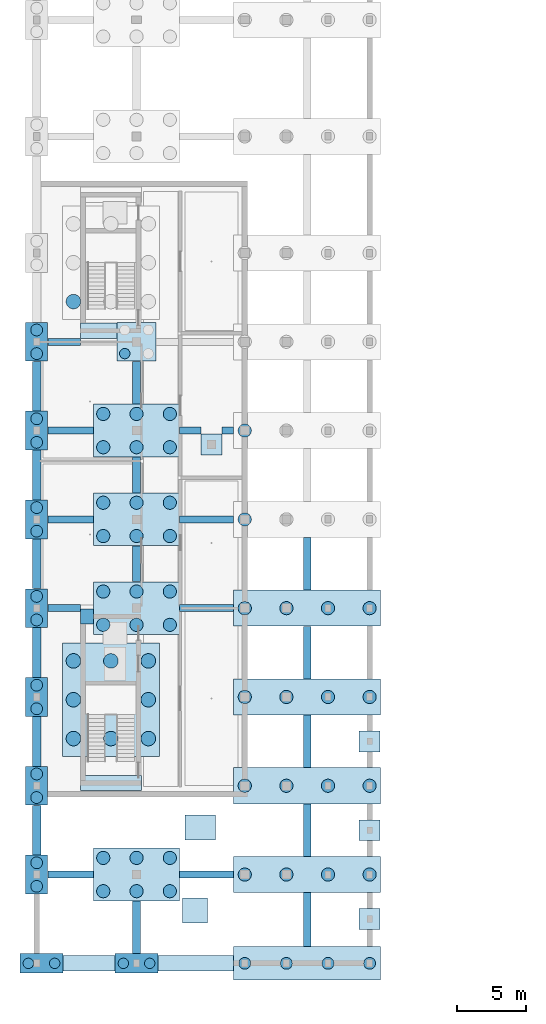
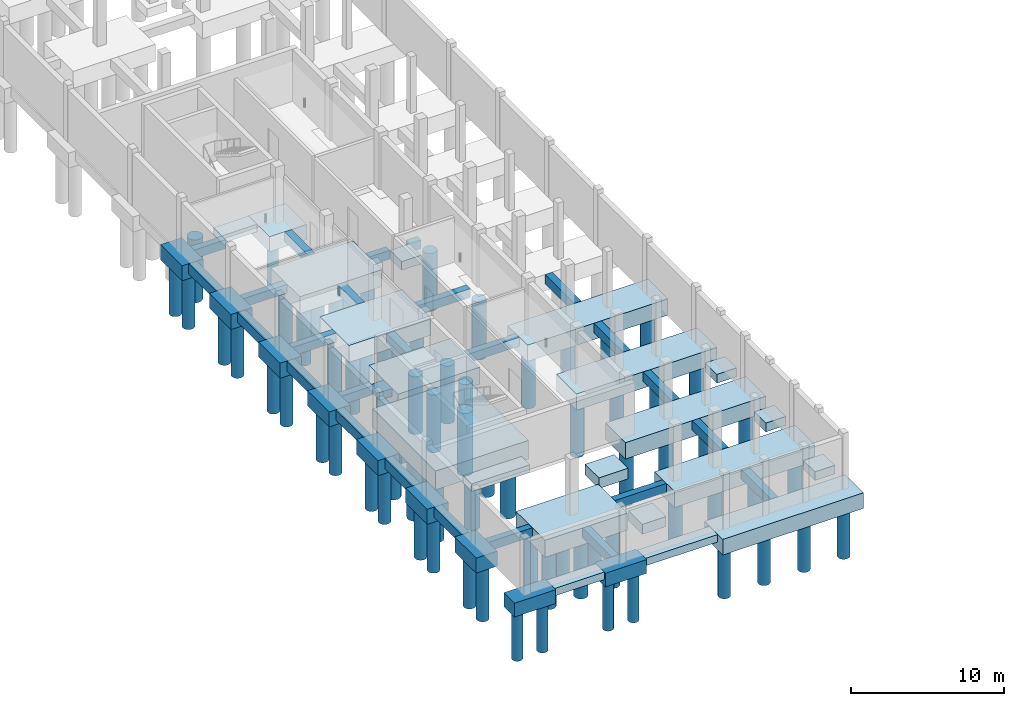
# One storey, part 1 of 21: 74 piles, 56 footings.
"""IFC4 building model written with IfcOpenShell, lengths in metres."""

from ifc_helpers import new_model, si_unit, derived_unit, direction, frame, origin, origin_2d, place, context, subcontext, project, spatial, rectangle, circle, extrude, material, material_profile, profile_set, type_object, element, save


model = new_model("IFC4")

# Units and contexts
model_context = context("Model", 3, precision=1e-05, world=origin(), true_north=direction((0.0, 1.0)))
body_context = subcontext(model_context, "Body", "Model", "MODEL_VIEW")
ifc_project = project(units=[si_unit("LENGTHUNIT", "METRE"), si_unit("AREAUNIT", "SQUARE_METRE"), si_unit("VOLUMEUNIT", "CUBIC_METRE"), si_unit("PLANEANGLEUNIT", "RADIAN"), si_unit("MASSUNIT", "GRAM", prefix="KILO"), derived_unit("THERMALTRANSMITTANCEUNIT", [(si_unit("POWERUNIT", "WATT"), 1), (si_unit("LENGTHUNIT", "METRE"), -2), (si_unit("THERMODYNAMICTEMPERATUREUNIT", "KELVIN"), -1)])], contexts=[model_context])

# Site, building, storey
site_placement = place(None, origin())
site = spatial("IfcSite", under=ifc_project, at=site_placement, CompositionType="ELEMENT")
building_placement = place(site_placement, origin())
building = spatial("IfcBuilding", under=site, at=building_placement, Name="Braskholm Square Health Centre", CompositionType="ELEMENT")
storey_placement = place(building_placement, frame((0.0, 0.0, -4.5)))
storey = spatial("IfcBuildingStorey", under=building, at=storey_placement, Name="B01", CompositionType="ELEMENT", Elevation=-4.5)

# Piles
ifc_material = material(Name="Concrete C40/50 (f'c = 40 MPa)", Category="concrete")
ifc_material_profile_1 = material_profile(ifc_material, circle(Radius=0.52490234375, at=origin_2d()), Name="BORED-PILE-1050")
ifc_profile_set_1 = profile_set([ifc_material_profile_1], Name="Concrete C40/50 (f'c = 40 MPa)")
pile_type_1 = type_object("IfcPileType", Name="BoredShaft1050", PredefinedType="BORED", material=ifc_profile_set_1)
for number, where, z_axis, x_axis, name in (
    (1, (12.25, 20.39990234375, -1.39990234375), (0.0, 0.0, -1.0), (1.0, 0.0, 0.0), "Rock-socketed shaft 0001"),
    (2, (12.25, 23.199951171875, -1.39990234375), (0.0, 0.0, -1.0), (1.0, 0.0, 0.0), "Rock-socketed shaft 0002"),
    (3, (12.25, 26.0, -1.39990234375), (0.0, 0.0, -1.0), (1.0, 0.0, 0.0), "Rock-socketed shaft 0003"),
    (4, (9.550048828125, 20.39990234375, -1.39990234375), (0.0, 0.0, -1.0), (1.0, 0.0, 0.0), "Rock-socketed shaft 0004"),
    (5, (9.550048828125, 26.0, -1.39990234375), (0.0, 0.0, -1.0), (1.0, 0.0, 0.0), "Rock-socketed shaft 0005"),
    (6, (6.85009765625, 20.39990234375, -1.39990234375), (0.0, 0.0, -1.0), (1.0, 0.0, 0.0), "Rock-socketed shaft 0006"),
    (7, (6.85009765625, 23.199951171875, -1.39990234375), (0.0, 0.0, -1.0), (1.0, 0.0, 0.0), "Rock-socketed shaft 0007"),
    (8, (6.85009765625, 26.0, -1.39990234375), (0.0, 0.0, -1.0), (1.0, 0.0, 0.0), "Rock-socketed shaft 0008"),
    (9, (6.85009765625, 51.89990234375, -1.39990234375), (0.0, 0.0, -1.0), (1.0, 0.0, 0.0), "Rock-socketed shaft 0014"),
):
    element("IfcPile", number, at=place(storey_placement, frame(where, z_axis=z_axis, x_axis=x_axis)), inside=storey, type_object=pile_type_1, Name=name, PredefinedType="BORED", context=body_context, shape_type="SweptSolid", body=[
        extrude(circle(Radius=0.52490234375, at=origin_2d()), origin(), (0.0, 0.0, 1.0), 5.0),
    ])
ifc_material_profile_2 = material_profile(ifc_material, circle(Radius=0.375, at=origin_2d()), Name="BORED-PILE-750")
ifc_profile_set_2 = profile_set([ifc_material_profile_2], Name="Concrete C40/50 (f'c = 40 MPa)")
pile_type_2 = type_object("IfcPileType", Name="BoredShaft750", PredefinedType="BORED", material=ifc_profile_set_2)
for number, where, z_axis, x_axis, name in (
    (10, (3.60009765625, 4.199951171875, -1.0), (0.0, 0.0, -1.0), (1.0, 0.0, 0.0), "Rock-socketed shaft 0169"),
    (11, (5.5, 4.199951171875, -1.0), (0.0, 0.0, -1.0), (1.0, 0.0, 0.0), "Rock-socketed shaft 0170"),
    (12, (10.449951171875, 4.199951171875, -1.0), (0.0, 0.0, -1.0), (1.0, 0.0, 0.0), "Rock-socketed shaft 0203"),
    (13, (12.35009765625, 4.199951171875, -1.0), (0.0, 0.0, -1.0), (1.0, 0.0, 0.0), "Rock-socketed shaft 0204"),
    (14, (10.550048828125, 48.14990234375, -1.10009765625), (0.0, 0.0, -1.0), (1.0, 0.0, 0.0), "Rock-socketed shaft 0229"),
):
    element("IfcPile", number, at=place(storey_placement, frame(where, z_axis=z_axis, x_axis=x_axis)), inside=storey, type_object=pile_type_2, Name=name, PredefinedType="BORED", context=body_context, shape_type="SweptSolid", body=[
        extrude(circle(Radius=0.375, at=origin_2d()), origin(), (0.0, 0.0, 1.0), 4.0),
    ])
ifc_material_profile_3 = material_profile(ifc_material, circle(Radius=0.425048828125, at=origin_2d()), Name="BORED-PILE-850")
ifc_profile_set_3 = profile_set([ifc_material_profile_3], Name="Concrete C40/50 (f'c = 40 MPa)")
pile_type_3 = type_object("IfcPileType", Name="BoredShaft850", PredefinedType="BORED", material=ifc_profile_set_3)
for number, where, z_axis, x_axis, name in (
    (15, (19.199951171875, 4.199951171875, -1.14990234375), (0.0, 0.0, -1.0), (1.0, 0.0, 0.0), "Rock-socketed shaft 0033"),
    (16, (22.199951171875, 4.199951171875, -1.14990234375), (0.0, 0.0, -1.0), (1.0, 0.0, 0.0), "Rock-socketed shaft 0034"),
    (17, (25.199951171875, 4.199951171875, -1.14990234375), (0.0, 0.0, -1.0), (1.0, 0.0, 0.0), "Rock-socketed shaft 0035"),
    (18, (28.199951171875, 4.199951171875, -1.14990234375), (0.0, 0.0, -1.0), (1.0, 0.0, 0.0), "Rock-socketed shaft 0036"),
    (19, (4.199951171875, 9.75, -1.10009765625), (0.0, 0.0, -1.0), (1.0, 0.0, 0.0), "Rock-socketed shaft 0171"),
    (20, (4.199951171875, 11.449951171875, -1.10009765625), (0.0, 0.0, -1.0), (1.0, 0.0, 0.0), "Rock-socketed shaft 0172"),
    (21, (4.199951171875, 16.14990234375, -1.10009765625), (0.0, 0.0, -1.0), (1.0, 0.0, 0.0), "Rock-socketed shaft 0173"),
    (22, (4.199951171875, 17.85009765625, -1.10009765625), (0.0, 0.0, -1.0), (1.0, 0.0, 0.0), "Rock-socketed shaft 0174"),
    (23, (4.199951171875, 22.550048828125, -1.10009765625), (0.0, 0.0, -1.0), (1.0, 0.0, 0.0), "Rock-socketed shaft 0175"),
    (24, (4.199951171875, 24.25, -1.10009765625), (0.0, 0.0, -1.0), (1.0, 0.0, 0.0), "Rock-socketed shaft 0176"),
    (25, (4.199951171875, 28.949951171875, -1.10009765625), (0.0, 0.0, -1.0), (1.0, 0.0, 0.0), "Rock-socketed shaft 0177"),
    (26, (4.199951171875, 30.64990234375, -1.10009765625), (0.0, 0.0, -1.0), (1.0, 0.0, 0.0), "Rock-socketed shaft 0178"),
    (27, (4.199951171875, 35.35009765625, -1.10009765625), (0.0, 0.0, -1.0), (1.0, 0.0, 0.0), "Rock-socketed shaft 0179"),
    (28, (4.199951171875, 37.050048828125, -1.10009765625), (0.0, 0.0, -1.0), (1.0, 0.0, 0.0), "Rock-socketed shaft 0180"),
    (29, (4.199951171875, 41.75, -1.10009765625), (0.0, 0.0, -1.0), (1.0, 0.0, 0.0), "Rock-socketed shaft 0181"),
    (30, (4.199951171875, 43.449951171875, -1.10009765625), (0.0, 0.0, -1.0), (1.0, 0.0, 0.0), "Rock-socketed shaft 0182"),
    (31, (4.199951171875, 48.14990234375, -1.10009765625), (0.0, 0.0, -1.0), (1.0, 0.0, 0.0), "Rock-socketed shaft 0183"),
    (32, (4.199951171875, 49.85009765625, -1.10009765625), (0.0, 0.0, -1.0), (1.0, 0.0, 0.0), "Rock-socketed shaft 0184"),
):
    element("IfcPile", number, at=place(storey_placement, frame(where, z_axis=z_axis, x_axis=x_axis)), inside=storey, type_object=pile_type_3, Name=name, PredefinedType="BORED", context=body_context, shape_type="SweptSolid", body=[
        extrude(circle(Radius=0.425048828125, at=origin_2d()), origin(), (0.0, 0.0, 1.0), 4.300048828125),
    ])
ifc_material_profile_4 = material_profile(ifc_material, circle(Radius=0.47509765625, at=origin_2d()), Name="BORED-PILE-950")
ifc_profile_set_4 = profile_set([ifc_material_profile_4], Name="Concrete C40/50 (f'c = 40 MPa)")
pile_type_4 = type_object("IfcPileType", Name="BoredShaft950", PredefinedType="BORED", material=ifc_profile_set_4)
for number, where, z_axis, x_axis, name in (
    (33, (19.199951171875, 10.60009765625, -1.199951171875), (0.0, 0.0, -1.0), (1.0, 0.0, 0.0), "Rock-socketed shaft 0037"),
    (34, (22.199951171875, 10.60009765625, -1.199951171875), (0.0, 0.0, -1.0), (1.0, 0.0, 0.0), "Rock-socketed shaft 0038"),
    (35, (25.199951171875, 10.60009765625, -1.199951171875), (0.0, 0.0, -1.0), (1.0, 0.0, 0.0), "Rock-socketed shaft 0039"),
    (36, (28.199951171875, 10.60009765625, -1.199951171875), (0.0, 0.0, -1.0), (1.0, 0.0, 0.0), "Rock-socketed shaft 0040"),
    (37, (19.199951171875, 17.0, -1.199951171875), (0.0, 0.0, -1.0), (1.0, 0.0, 0.0), "Rock-socketed shaft 0041"),
    (38, (22.199951171875, 17.0, -1.199951171875), (0.0, 0.0, -1.0), (1.0, 0.0, 0.0), "Rock-socketed shaft 0042"),
    (39, (25.199951171875, 17.0, -1.199951171875), (0.0, 0.0, -1.0), (1.0, 0.0, 0.0), "Rock-socketed shaft 0043"),
    (40, (28.199951171875, 17.0, -1.199951171875), (0.0, 0.0, -1.0), (1.0, 0.0, 0.0), "Rock-socketed shaft 0044"),
    (41, (19.199951171875, 23.39990234375, -1.199951171875), (0.0, 0.0, -1.0), (1.0, 0.0, 0.0), "Rock-socketed shaft 0045"),
    (42, (22.199951171875, 23.39990234375, -1.199951171875), (0.0, 0.0, -1.0), (1.0, 0.0, 0.0), "Rock-socketed shaft 0046"),
    (43, (25.199951171875, 23.39990234375, -1.199951171875), (0.0, 0.0, -1.0), (1.0, 0.0, 0.0), "Rock-socketed shaft 0047"),
    (44, (28.199951171875, 23.39990234375, -1.199951171875), (0.0, 0.0, -1.0), (1.0, 0.0, 0.0), "Rock-socketed shaft 0048"),
    (45, (19.199951171875, 29.800048828125, -1.199951171875), (0.0, 0.0, -1.0), (1.0, 0.0, 0.0), "Rock-socketed shaft 0049"),
    (46, (22.199951171875, 29.800048828125, -1.199951171875), (0.0, 0.0, -1.0), (1.0, 0.0, 0.0), "Rock-socketed shaft 0050"),
    (47, (25.199951171875, 29.800048828125, -1.199951171875), (0.0, 0.0, -1.0), (1.0, 0.0, 0.0), "Rock-socketed shaft 0051"),
    (48, (28.199951171875, 29.800048828125, -1.199951171875), (0.0, 0.0, -1.0), (1.0, 0.0, 0.0), "Rock-socketed shaft 0052"),
    (49, (19.199951171875, 36.199951171875, -1.199951171875), (0.0, 0.0, -1.0), (1.0, 0.0, 0.0), "Rock-socketed shaft 0053"),
    (50, (19.199951171875, 42.60009765625, -1.199951171875), (0.0, 0.0, -1.0), (1.0, 0.0, 0.0), "Rock-socketed shaft 0057"),
    (51, (9.0, 9.39990234375, -1.25), (0.0, 0.0, -1.0), (1.0, 0.0, 0.0), "Rock-socketed shaft 0205"),
    (52, (11.39990234375, 9.39990234375, -1.25), (0.0, 0.0, -1.0), (1.0, 0.0, 0.0), "Rock-socketed shaft 0206"),
    (53, (13.800048828125, 9.39990234375, -1.25), (0.0, 0.0, -1.0), (1.0, 0.0, 0.0), "Rock-socketed shaft 0207"),
    (54, (9.0, 11.800048828125, -1.25), (0.0, 0.0, -1.0), (1.0, 0.0, 0.0), "Rock-socketed shaft 0208"),
    (55, (11.39990234375, 11.800048828125, -1.25), (0.0, 0.0, -1.0), (1.0, 0.0, 0.0), "Rock-socketed shaft 0209"),
    (56, (13.800048828125, 11.800048828125, -1.25), (0.0, 0.0, -1.0), (1.0, 0.0, 0.0), "Rock-socketed shaft 0210"),
    (57, (9.0, 28.60009765625, -1.25), (0.0, 0.0, -1.0), (1.0, 0.0, 0.0), "Rock-socketed shaft 0211"),
    (58, (11.39990234375, 28.60009765625, -1.25), (0.0, 0.0, -1.0), (1.0, 0.0, 0.0), "Rock-socketed shaft 0212"),
    (59, (13.800048828125, 28.60009765625, -1.25), (0.0, 0.0, -1.0), (1.0, 0.0, 0.0), "Rock-socketed shaft 0213"),
    (60, (9.0, 31.0, -1.25), (0.0, 0.0, -1.0), (1.0, 0.0, 0.0), "Rock-socketed shaft 0214"),
    (61, (11.39990234375, 31.0, -1.25), (0.0, 0.0, -1.0), (1.0, 0.0, 0.0), "Rock-socketed shaft 0215"),
    (62, (13.800048828125, 31.0, -1.25), (0.0, 0.0, -1.0), (1.0, 0.0, 0.0), "Rock-socketed shaft 0216"),
    (63, (9.0, 35.0, -1.25), (0.0, 0.0, -1.0), (1.0, 0.0, 0.0), "Rock-socketed shaft 0217"),
    (64, (11.39990234375, 35.0, -1.25), (0.0, 0.0, -1.0), (1.0, 0.0, 0.0), "Rock-socketed shaft 0218"),
    (65, (13.800048828125, 35.0, -1.25), (0.0, 0.0, -1.0), (1.0, 0.0, 0.0), "Rock-socketed shaft 0219"),
    (66, (9.0, 37.39990234375, -1.25), (0.0, 0.0, -1.0), (1.0, 0.0, 0.0), "Rock-socketed shaft 0220"),
    (67, (11.39990234375, 37.39990234375, -1.25), (0.0, 0.0, -1.0), (1.0, 0.0, 0.0), "Rock-socketed shaft 0221"),
    (68, (13.800048828125, 37.39990234375, -1.25), (0.0, 0.0, -1.0), (1.0, 0.0, 0.0), "Rock-socketed shaft 0222"),
    (69, (9.0, 41.39990234375, -1.25), (0.0, 0.0, -1.0), (1.0, 0.0, 0.0), "Rock-socketed shaft 0223"),
    (70, (11.39990234375, 41.39990234375, -1.25), (0.0, 0.0, -1.0), (1.0, 0.0, 0.0), "Rock-socketed shaft 0224"),
    (71, (13.800048828125, 41.39990234375, -1.25), (0.0, 0.0, -1.0), (1.0, 0.0, 0.0), "Rock-socketed shaft 0225"),
    (72, (9.0, 43.800048828125, -1.25), (0.0, 0.0, -1.0), (1.0, 0.0, 0.0), "Rock-socketed shaft 0226"),
    (73, (11.39990234375, 43.800048828125, -1.25), (0.0, 0.0, -1.0), (1.0, 0.0, 0.0), "Rock-socketed shaft 0227"),
    (74, (13.800048828125, 43.800048828125, -1.25), (0.0, 0.0, -1.0), (1.0, 0.0, 0.0), "Rock-socketed shaft 0228"),
):
    element("IfcPile", number, at=place(storey_placement, frame(where, z_axis=z_axis, x_axis=x_axis)), inside=storey, type_object=pile_type_4, Name=name, PredefinedType="BORED", context=body_context, shape_type="SweptSolid", body=[
        extrude(circle(Radius=0.47509765625, at=origin_2d()), origin(), (0.0, 0.0, 1.0), 4.60009765625),
    ])

# Footings
ifc_material_profile_5 = material_profile(ifc_material, rectangle(XDim=0.60009765625, YDim=0.800048828125, at=origin_2d()), Name="FTG-600X800")
ifc_profile_set_5 = profile_set([ifc_material_profile_5], Name="Concrete C40/50 (f'c = 40 MPa)")
footing_type_1 = type_object("IfcFootingType", Name="GradeBeamFrost600x800", PredefinedType="FOOTING_BEAM", material=ifc_profile_set_5)
for number, where, z_axis, x_axis, name in (
    (75, (4.199951171875, 12.0048828125, -0.39990234375), (0.0, 1.0, 0.0), (-1.0, 0.0, 0.0), "Foundation tie beam 0001"),
    (76, (4.199951171875, 18.405029296875, -0.39990234375), (0.0, 1.0, 0.0), (-1.0, 0.0, 0.0), "Foundation tie beam 0002"),
    (77, (4.199951171875, 24.804931640625, -0.39990234375), (0.0, 1.0, 0.0), (-1.0, 0.0, 0.0), "Foundation tie beam 0003"),
):
    element("IfcFooting", number, at=place(storey_placement, frame(where, z_axis=z_axis, x_axis=x_axis)), inside=storey, type_object=footing_type_1, Name=name, PredefinedType="FOOTING_BEAM", context=body_context, shape_type="SweptSolid", body=[
        extrude(rectangle(XDim=0.60009765625, YDim=0.800048828125, at=origin_2d()), origin(), (0.0, 0.0, 1.0), 3.590087890625),
    ])
footing_1_placement = place(storey_placement, frame((4.199951171875, 31.205078125, -0.39990234375), z_axis=(0.0, 1.0, 0.0), x_axis=(-1.0, 0.0, 0.0)))
element("IfcFooting", 78, at=footing_1_placement, inside=storey, type_object=footing_type_1, Name="Foundation tie beam 0004", PredefinedType="FOOTING_BEAM", context=body_context, shape_type="SweptSolid", body=[
    extrude(rectangle(XDim=0.60009765625, YDim=0.800048828125, at=origin_2d()), origin(), (0.0, 0.0, 1.0), 3.58984375),
])
for number, where, z_axis, x_axis, name in (
    (79, (4.199951171875, 37.60498046875, -0.39990234375), (0.0, 1.0, 0.0), (-1.0, 0.0, 0.0), "Foundation tie beam 0005"),
    (80, (4.199951171875, 44.0048828125, -0.39990234375), (0.0, 1.0, 0.0), (-1.0, 0.0, 0.0), "Foundation tie beam 0006"),
):
    element("IfcFooting", number, at=place(storey_placement, frame(where, z_axis=z_axis, x_axis=x_axis)), inside=storey, type_object=footing_type_1, Name=name, PredefinedType="FOOTING_BEAM", context=body_context, shape_type="SweptSolid", body=[
        extrude(rectangle(XDim=0.60009765625, YDim=0.800048828125, at=origin_2d()), origin(), (0.0, 0.0, 1.0), 3.590087890625),
    ])
ifc_material_profile_6 = material_profile(ifc_material, rectangle(XDim=0.5, YDim=0.699951171875, at=origin_2d()), Name="FTG-500X700")
ifc_profile_set_6 = profile_set([ifc_material_profile_6], Name="Concrete C40/50 (f'c = 40 MPa)")
footing_type_2 = type_object("IfcFootingType", Name="GradeBeamTie500x700", PredefinedType="FOOTING_BEAM", material=ifc_profile_set_6)
footing_2_placement = place(storey_placement, frame((5.0048828125, 10.60009765625, -0.35009765625), z_axis=(1.0, 0.0, 0.0), x_axis=(0.0, 1.0, 0.0)))
element("IfcFooting", 81, at=footing_2_placement, inside=storey, type_object=footing_type_2, Name="Foundation tie beam 0119", PredefinedType="FOOTING_BEAM", context=body_context, shape_type="SweptSolid", body=[
    extrude(rectangle(XDim=0.5, YDim=0.699951171875, at=origin_2d()), origin(), (0.0, 0.0, 1.0), 3.2900390625),
])
footing_3_placement = place(storey_placement, frame((14.5048828125, 10.60009765625, -0.35009765625), z_axis=(1.0, 0.0, 0.0), x_axis=(0.0, 1.0, 0.0)))
element("IfcFooting", 82, at=footing_3_placement, inside=storey, type_object=footing_type_2, Name="Foundation tie beam 0120", PredefinedType="FOOTING_BEAM", context=body_context, shape_type="SweptSolid", body=[
    extrude(rectangle(XDim=0.5, YDim=0.699951171875, at=origin_2d()), origin(), (0.0, 0.0, 1.0), 3.89013671875),
])
footing_4_placement = place(storey_placement, frame((5.0048828125, 29.800048828125, -0.35009765625), z_axis=(1.0, 0.0, 0.0), x_axis=(0.0, 1.0, 0.0)))
element("IfcFooting", 83, at=footing_4_placement, inside=storey, type_object=footing_type_2, Name="Foundation tie beam 0127", PredefinedType="FOOTING_BEAM", context=body_context, shape_type="SweptSolid", body=[
    extrude(rectangle(XDim=0.5, YDim=0.699951171875, at=origin_2d()), origin(), (0.0, 0.0, 1.0), 2.341064453125),
])
footing_5_placement = place(storey_placement, frame((14.5048828125, 29.800048828125, -0.35009765625), z_axis=(1.0, 0.0, 0.0), x_axis=(0.0, 1.0, 0.0)))
element("IfcFooting", 84, at=footing_5_placement, inside=storey, type_object=footing_type_2, Name="Foundation tie beam 0128", PredefinedType="FOOTING_BEAM", context=body_context, shape_type="SweptSolid", body=[
    extrude(rectangle(XDim=0.5, YDim=0.699951171875, at=origin_2d()), origin(), (0.0, 0.0, 1.0), 3.89013671875),
])
footing_6_placement = place(storey_placement, frame((5.0048828125, 36.199951171875, -0.35009765625), z_axis=(1.0, 0.0, 0.0), x_axis=(0.0, 1.0, 0.0)))
element("IfcFooting", 85, at=footing_6_placement, inside=storey, type_object=footing_type_2, Name="Foundation tie beam 0131", PredefinedType="FOOTING_BEAM", context=body_context, shape_type="SweptSolid", body=[
    extrude(rectangle(XDim=0.5, YDim=0.699951171875, at=origin_2d()), origin(), (0.0, 0.0, 1.0), 3.2900390625),
])
footing_7_placement = place(storey_placement, frame((14.5048828125, 36.199951171875, -0.35009765625), z_axis=(1.0, 0.0, 0.0), x_axis=(0.0, 1.0, 0.0)))
element("IfcFooting", 86, at=footing_7_placement, inside=storey, type_object=footing_type_2, Name="Foundation tie beam 0132", PredefinedType="FOOTING_BEAM", context=body_context, shape_type="SweptSolid", body=[
    extrude(rectangle(XDim=0.5, YDim=0.699951171875, at=origin_2d()), origin(), (0.0, 0.0, 1.0), 3.89013671875),
])
footing_8_placement = place(storey_placement, frame((5.0048828125, 42.60009765625, -0.35009765625), z_axis=(1.0, 0.0, 0.0), x_axis=(0.0, 1.0, 0.0)))
element("IfcFooting", 87, at=footing_8_placement, inside=storey, type_object=footing_type_2, Name="Foundation tie beam 0135", PredefinedType="FOOTING_BEAM", context=body_context, shape_type="SweptSolid", body=[
    extrude(rectangle(XDim=0.5, YDim=0.699951171875, at=origin_2d()), origin(), (0.0, 0.0, 1.0), 3.2900390625),
])
footing_9_placement = place(storey_placement, frame((14.5048828125, 42.60009765625, -0.35009765625), z_axis=(1.0, 0.0, 0.0), x_axis=(0.0, 1.0, 0.0)))
element("IfcFooting", 88, at=footing_9_placement, inside=storey, type_object=footing_type_2, Name="Foundation tie beam 0136", PredefinedType="FOOTING_BEAM", context=body_context, shape_type="SweptSolid", body=[
    extrude(rectangle(XDim=0.5, YDim=0.699951171875, at=origin_2d()), origin(), (0.0, 0.0, 1.0), 1.541015625),
])
footing_10_placement = place(storey_placement, frame((17.553955078125, 42.60009765625, -0.35009765625), z_axis=(1.0, 0.0, 0.0), x_axis=(0.0, 1.0, 0.0)))
element("IfcFooting", 89, at=footing_10_placement, inside=storey, type_object=footing_type_2, Name="Foundation tie beam 0137", PredefinedType="FOOTING_BEAM", context=body_context, shape_type="SweptSolid", body=[
    extrude(rectangle(XDim=0.5, YDim=0.699951171875, at=origin_2d()), origin(), (0.0, 0.0, 1.0), 0.841064453125),
])
footing_11_placement = place(storey_placement, frame((5.0048828125, 49.0, -0.35009765625), z_axis=(1.0, 0.0, 0.0), x_axis=(0.0, 1.0, 0.0)))
element("IfcFooting", 90, at=footing_11_placement, inside=storey, type_object=footing_type_2, Name="Foundation tie beam 0141", PredefinedType="FOOTING_BEAM", context=body_context, shape_type="SweptSolid", body=[
    extrude(rectangle(XDim=0.5, YDim=0.699951171875, at=origin_2d()), origin(), (0.0, 0.0, 1.0), 2.341064453125),
])
ifc_material_profile_7 = material_profile(ifc_material, rectangle(XDim=0.550048828125, YDim=0.75, at=origin_2d()), Name="FTG-550X750")
ifc_profile_set_7 = profile_set([ifc_material_profile_7], Name="Concrete C40/50 (f'c = 40 MPa)")
footing_type_3 = type_object("IfcFootingType", Name="GradeBeamTie550x750", PredefinedType="FOOTING_BEAM", material=ifc_profile_set_7)
footing_12_placement = place(storey_placement, frame((11.39990234375, 4.905029296875, -0.375), z_axis=(0.0, 1.0, 0.0), x_axis=(-1.0, 0.0, 0.0)))
element("IfcFooting", 91, at=footing_12_placement, inside=storey, type_object=footing_type_3, Name="Foundation tie beam 0015", PredefinedType="FOOTING_BEAM", context=body_context, shape_type="SweptSolid", body=[
    extrude(rectangle(XDim=0.550048828125, YDim=0.75, at=origin_2d()), origin(), (0.0, 0.0, 1.0), 3.7900390625),
])
footing_13_placement = place(storey_placement, frame((11.39990234375, 31.705078125, -0.375), z_axis=(0.0, 1.0, 0.0), x_axis=(-1.0, 0.0, 0.0)))
element("IfcFooting", 92, at=footing_13_placement, inside=storey, type_object=footing_type_3, Name="Foundation tie beam 0016", PredefinedType="FOOTING_BEAM", context=body_context, shape_type="SweptSolid", body=[
    extrude(rectangle(XDim=0.550048828125, YDim=0.75, at=origin_2d()), origin(), (0.0, 0.0, 1.0), 2.58984375),
])
footing_14_placement = place(storey_placement, frame((11.39990234375, 38.10498046875, -0.375), z_axis=(0.0, 1.0, 0.0), x_axis=(-1.0, 0.0, 0.0)))
element("IfcFooting", 93, at=footing_14_placement, inside=storey, type_object=footing_type_3, Name="Foundation tie beam 0017", PredefinedType="FOOTING_BEAM", context=body_context, shape_type="SweptSolid", body=[
    extrude(rectangle(XDim=0.550048828125, YDim=0.75, at=origin_2d()), origin(), (0.0, 0.0, 1.0), 2.590087890625),
])
footing_15_placement = place(storey_placement, frame((11.39990234375, 44.5048828125, -0.375), z_axis=(0.0, 1.0, 0.0), x_axis=(-1.0, 0.0, 0.0)))
element("IfcFooting", 94, at=footing_15_placement, inside=storey, type_object=footing_type_3, Name="Foundation tie beam 0018", PredefinedType="FOOTING_BEAM", context=body_context, shape_type="SweptSolid", body=[
    extrude(rectangle(XDim=0.550048828125, YDim=0.75, at=origin_2d()), origin(), (0.0, 0.0, 1.0), 3.090087890625),
])
footing_16_placement = place(storey_placement, frame((23.699951171875, 5.405029296875, -0.375), z_axis=(0.0, 1.0, 0.0), x_axis=(-1.0, 0.0, 0.0)))
element("IfcFooting", 95, at=footing_16_placement, inside=storey, type_object=footing_type_3, Name="Foundation tie beam 0024", PredefinedType="FOOTING_BEAM", context=body_context, shape_type="SweptSolid", body=[
    extrude(rectangle(XDim=0.550048828125, YDim=0.75, at=origin_2d()), origin(), (0.0, 0.0, 1.0), 3.889892578125),
])
for number, where, z_axis, x_axis, name in (
    (96, (23.699951171875, 11.905029296875, -0.375), (0.0, 1.0, 0.0), (-1.0, 0.0, 0.0), "Foundation tie beam 0025"),
    (97, (23.699951171875, 18.304931640625, -0.375), (0.0, 1.0, 0.0), (-1.0, 0.0, 0.0), "Foundation tie beam 0026"),
    (98, (23.699951171875, 24.705078125, -0.375), (0.0, 1.0, 0.0), (-1.0, 0.0, 0.0), "Foundation tie beam 0027"),
    (99, (23.699951171875, 31.10498046875, -0.375), (0.0, 1.0, 0.0), (-1.0, 0.0, 0.0), "Foundation tie beam 0028"),
):
    element("IfcFooting", number, at=place(storey_placement, frame(where, z_axis=z_axis, x_axis=x_axis)), inside=storey, type_object=footing_type_3, Name=name, PredefinedType="FOOTING_BEAM", context=body_context, shape_type="SweptSolid", body=[
        extrude(rectangle(XDim=0.550048828125, YDim=0.75, at=origin_2d()), origin(), (0.0, 0.0, 1.0), 3.7900390625),
    ])
footing_type_4 = type_object("IfcFootingType", Name="PadFootingCanopy1800x1800", PredefinedType="PAD_FOOTING", material=ifc_material)
footing_17_placement = place(storey_placement, frame((15.60009765625, 8.0, -0.7998046875), z_axis=(0.0, 0.0, 1.0), x_axis=(1.0, 0.0, 0.0)))
element("IfcFooting", 100, at=footing_17_placement, inside=storey, type_object=footing_type_4, Name="Frost-depth pad footing 003", PredefinedType="PAD_FOOTING", context=body_context, shape_type="SweptSolid", body=[
    extrude(rectangle(XDim=1.800048828125, YDim=1.800048828125, at=origin_2d()), origin(), (0.0, 0.0, 1.0), 0.800048828125),
])
footing_type_5 = type_object("IfcFootingType", Name="PadFootingPortico2200x1800", PredefinedType="PAD_FOOTING", material=ifc_material)
footing_18_placement = place(storey_placement, frame((16.0, 14.0, -0.85009765625), z_axis=(0.0, 0.0, 1.0), x_axis=(1.0, 0.0, 0.0)))
element("IfcFooting", 101, at=footing_18_placement, inside=storey, type_object=footing_type_5, Name="Frost-depth pad footing 007", PredefinedType="PAD_FOOTING", context=body_context, shape_type="SweptSolid", body=[
    extrude(rectangle(XDim=2.199951171875, YDim=1.800048828125, at=origin_2d()), origin(), (0.0, 0.0, 1.0), 0.85009765625),
])
footing_type_6 = type_object("IfcFootingType", Name="PadFootingScreen1500x1500", PredefinedType="PAD_FOOTING", material=ifc_material)
for number, where, z_axis, x_axis, name in (
    (102, (28.199951171875, 7.39990234375, -0.7001953125), (0.0, 0.0, 1.0), (1.0, 0.0, 0.0), "Special column pad footing PIL01"),
    (103, (28.199951171875, 13.800048828125, -0.7001953125), (0.0, 0.0, 1.0), (1.0, 0.0, 0.0), "Special column pad footing PIL02"),
    (104, (28.199951171875, 20.199951171875, -0.7001953125), (0.0, 0.0, 1.0), (1.0, 0.0, 0.0), "Special column pad footing PIL03"),
    (105, (16.800048828125, 41.60009765625, -0.7001953125), (0.0, 0.0, 1.0), (1.0, 0.0, 0.0), "Special column pad footing CS3C"),
):
    element("IfcFooting", number, at=place(storey_placement, frame(where, z_axis=z_axis, x_axis=x_axis)), inside=storey, type_object=footing_type_6, Name=name, PredefinedType="PAD_FOOTING", context=body_context, shape_type="SweptSolid", body=[
        extrude(rectangle(XDim=1.5, YDim=1.5, at=origin_2d()), origin(), (0.0, 0.0, 1.0), 0.699951171875),
    ])
footing_type_7 = type_object("IfcFootingType", Name="PileCap2Pile2800x1600", PredefinedType="PILE_CAP", material=ifc_material)
for number, where, z_axis, x_axis, name in (
    (106, (4.199951171875, 10.60009765625, -1.2001953125), (0.0, 0.0, 1.0), (0.0, 1.0, 0.0), "Column pile cap FTG-PC-0040 at 1/B"),
    (107, (4.199951171875, 17.0, -1.2001953125), (0.0, 0.0, 1.0), (0.0, 1.0, 0.0), "Column pile cap FTG-PC-0041 at 1/C"),
    (108, (4.199951171875, 23.39990234375, -1.2001953125), (0.0, 0.0, 1.0), (0.0, 1.0, 0.0), "Column pile cap FTG-PC-0042 at 1/D"),
    (109, (4.199951171875, 29.800048828125, -1.2001953125), (0.0, 0.0, 1.0), (0.0, 1.0, 0.0), "Column pile cap FTG-PC-0043 at 1/E"),
    (110, (4.199951171875, 36.199951171875, -1.2001953125), (0.0, 0.0, 1.0), (0.0, 1.0, 0.0), "Column pile cap FTG-PC-0044 at 1/F"),
    (111, (4.199951171875, 42.60009765625, -1.2001953125), (0.0, 0.0, 1.0), (0.0, 1.0, 0.0), "Column pile cap FTG-PC-0045 at 1/G"),
    (112, (4.199951171875, 49.0, -1.2001953125), (0.0, 0.0, 1.0), (0.0, 1.0, 0.0), "Column pile cap FTG-PC-0046 at 1/H"),
):
    element("IfcFooting", number, at=place(storey_placement, frame(where, z_axis=z_axis, x_axis=x_axis)), inside=storey, type_object=footing_type_7, Name=name, PredefinedType="PILE_CAP", context=body_context, shape_type="SweptSolid", body=[
        extrude(rectangle(XDim=2.800048828125, YDim=1.60009765625, at=origin_2d()), origin(), (0.0, 0.0, 1.0), 1.199951171875),
    ])
footing_type_8 = type_object("IfcFootingType", Name="PileCap2Pile3100x1400", PredefinedType="PILE_CAP", material=ifc_material)
for number, where, z_axis, x_axis, name in (
    (113, (4.550048828125, 4.199951171875, -1.10009765625), (0.0, 0.0, 1.0), (1.0, 0.0, 0.0), "Column pile cap FTG-PC-0039 at 1/A"),
    (114, (11.39990234375, 4.199951171875, -1.10009765625), (0.0, 0.0, 1.0), (1.0, 0.0, 0.0), "Column pile cap FTG-PC-0056 at 2/A"),
):
    element("IfcFooting", number, at=place(storey_placement, frame(where, z_axis=z_axis, x_axis=x_axis)), inside=storey, type_object=footing_type_8, Name=name, PredefinedType="PILE_CAP", context=body_context, shape_type="SweptSolid", body=[
        extrude(rectangle(XDim=3.10009765625, YDim=1.39990234375, at=origin_2d()), origin(), (0.0, 0.0, 1.0), 1.10009765625),
    ])
footing_type_9 = type_object("IfcFootingType", Name="PileCap4Pile2800x2800", PredefinedType="PILE_CAP", material=ifc_material)
footing_19_placement = place(storey_placement, frame((11.39990234375, 49.0, -1.2001953125), z_axis=(0.0, 0.0, 1.0), x_axis=(1.0, 0.0, 0.0)))
element("IfcFooting", 115, at=footing_19_placement, inside=storey, type_object=footing_type_9, Name="Column pile cap FTG-PC-0061 at 2/H", PredefinedType="PILE_CAP", context=body_context, shape_type="SweptSolid", body=[
    extrude(rectangle(XDim=2.800048828125, YDim=2.800048828125, at=origin_2d()), origin(), (0.0, 0.0, 1.0), 1.199951171875),
])
footing_type_10 = type_object("IfcFootingType", Name="PileCap4PileStep10600x2400", PredefinedType="PILE_CAP", material=ifc_material)
footing_20_placement = place(storey_placement, frame((23.699951171875, 4.199951171875, -1.25), z_axis=(0.0, 0.0, 1.0), x_axis=(1.0, 0.0, 0.0)))
element("IfcFooting", 116, at=footing_20_placement, inside=storey, type_object=footing_type_10, Name="Combined step pile cap FTG-PC-0005", PredefinedType="PILE_CAP", context=body_context, shape_type="SweptSolid", body=[
    extrude(rectangle(XDim=10.60009765625, YDim=2.39990234375, at=origin_2d()), origin(), (0.0, 0.0, 1.0), 1.25),
])
footing_type_11 = type_object("IfcFootingType", Name="PileCap4PileStep10600x2600", PredefinedType="PILE_CAP", material=ifc_material)
for number, where, z_axis, x_axis, name in (
    (117, (23.699951171875, 10.60009765625, -1.2998046875), (0.0, 0.0, 1.0), (1.0, 0.0, 0.0), "Combined step pile cap FTG-PC-0006"),
    (118, (23.699951171875, 17.0, -1.2998046875), (0.0, 0.0, 1.0), (1.0, 0.0, 0.0), "Combined step pile cap FTG-PC-0007"),
    (119, (23.699951171875, 23.39990234375, -1.2998046875), (0.0, 0.0, 1.0), (1.0, 0.0, 0.0), "Combined step pile cap FTG-PC-0008"),
    (120, (23.699951171875, 29.800048828125, -1.2998046875), (0.0, 0.0, 1.0), (1.0, 0.0, 0.0), "Combined step pile cap FTG-PC-0009"),
):
    element("IfcFooting", number, at=place(storey_placement, frame(where, z_axis=z_axis, x_axis=x_axis)), inside=storey, type_object=footing_type_11, Name=name, PredefinedType="PILE_CAP", context=body_context, shape_type="SweptSolid", body=[
        extrude(rectangle(XDim=10.60009765625, YDim=2.60009765625, at=origin_2d()), origin(), (0.0, 0.0, 1.0), 1.300048828125),
    ])
footing_type_12 = type_object("IfcFootingType", Name="PileCap6Pile6200x3800", PredefinedType="PILE_CAP", material=ifc_material)
for number, where, z_axis, x_axis, name in (
    (121, (11.39990234375, 10.60009765625, -1.35009765625), (0.0, 0.0, 1.0), (1.0, 0.0, 0.0), "Column pile cap FTG-PC-0057 at 2/B"),
    (122, (11.39990234375, 29.800048828125, -1.35009765625), (0.0, 0.0, 1.0), (1.0, 0.0, 0.0), "Column pile cap FTG-PC-0058 at 2/E"),
    (123, (11.39990234375, 36.199951171875, -1.35009765625), (0.0, 0.0, 1.0), (1.0, 0.0, 0.0), "Column pile cap FTG-PC-0059 at 2/F"),
    (124, (11.39990234375, 42.60009765625, -1.35009765625), (0.0, 0.0, 1.0), (1.0, 0.0, 0.0), "Column pile cap FTG-PC-0060 at 2/G"),
):
    element("IfcFooting", number, at=place(storey_placement, frame(where, z_axis=z_axis, x_axis=x_axis)), inside=storey, type_object=footing_type_12, Name=name, PredefinedType="PILE_CAP", context=body_context, shape_type="SweptSolid", body=[
        extrude(rectangle(XDim=6.199951171875, YDim=3.800048828125, at=origin_2d()), origin(), (0.0, 0.0, 1.0), 1.35009765625),
    ])
footing_type_13 = type_object("IfcFootingType", Name="PileCap8PileCore8200x7000", PredefinedType="PILE_CAP", material=ifc_material)
footing_21_placement = place(storey_placement, frame((9.550048828125, 23.199951171875, -1.5), z_axis=(0.0, 0.0, 1.0), x_axis=(0.0, 1.0, 0.0)))
element("IfcFooting", 125, at=footing_21_placement, inside=storey, type_object=footing_type_13, Name="Core pile cap PC-12 K1", PredefinedType="PILE_CAP", context=body_context, shape_type="SweptSolid", body=[
    extrude(rectangle(XDim=8.199951171875, YDim=7.0, at=origin_2d()), origin(), (0.0, 0.0, 1.0), 1.5),
])
ifc_material_profile_8 = material_profile(ifc_material, rectangle(XDim=1.10009765625, YDim=0.60009765625, at=origin_2d()), Name="FTG-1100X600")
ifc_profile_set_8 = profile_set([ifc_material_profile_8], Name="Concrete C40/50 (f'c = 40 MPa)")
footing_type_14 = type_object("IfcFootingType", Name="StripFootingWall1100x600", PredefinedType="STRIP_FOOTING", material=ifc_profile_set_8)
footing_22_placement = place(storey_placement, frame((7.35009765625, 17.199951171875, -0.300048828125), z_axis=(1.0, 0.0, 0.0), x_axis=(0.0, 1.0, 0.0)))
element("IfcFooting", 126, at=footing_22_placement, inside=storey, type_object=footing_type_14, Name="Core K1 S wall strip footing", PredefinedType="STRIP_FOOTING", context=body_context, shape_type="SweptSolid", body=[
    extrude(rectangle(XDim=1.10009765625, YDim=0.60009765625, at=origin_2d()), origin(), (0.0, 0.0, 1.0), 4.39990234375),
])
footing_23_placement = place(storey_placement, frame((7.35009765625, 29.199951171875, -0.300048828125), z_axis=(1.0, 0.0, 0.0), x_axis=(0.0, 1.0, 0.0)))
element("IfcFooting", 127, at=footing_23_placement, inside=storey, type_object=footing_type_14, Name="Core K1 N wall strip footing", PredefinedType="STRIP_FOOTING", context=body_context, shape_type="SweptSolid", body=[
    extrude(rectangle(XDim=1.10009765625, YDim=0.60009765625, at=origin_2d()), origin(), (0.0, 0.0, 1.0), 0.94580078125),
])
footing_24_placement = place(storey_placement, frame((7.35009765625, 49.800048828125, -0.300048828125), z_axis=(1.0, 0.0, 0.0), x_axis=(0.0, 1.0, 0.0)))
element("IfcFooting", 128, at=footing_24_placement, inside=storey, type_object=footing_type_14, Name="Core K2 S wall strip footing", PredefinedType="STRIP_FOOTING", context=body_context, shape_type="SweptSolid", body=[
    extrude(rectangle(XDim=1.10009765625, YDim=0.60009765625, at=origin_2d()), origin(), (0.0, 0.0, 1.0), 2.64599609375),
])
footing_25_placement = place(storey_placement, frame((6.10498046875, 4.199951171875, -0.300048828125), z_axis=(1.0, 0.0, 0.0), x_axis=(0.0, 1.0, 0.0)))
element("IfcFooting", 129, at=footing_25_placement, inside=storey, type_object=footing_type_14, Name="Foundation tie beam 0115", PredefinedType="STRIP_FOOTING", context=body_context, shape_type="SweptSolid", body=[
    extrude(rectangle(XDim=1.10009765625, YDim=0.60009765625, at=origin_2d()), origin(), (0.0, 0.0, 1.0), 3.739990234375),
])
footing_26_placement = place(storey_placement, frame((12.955078125, 4.199951171875, -0.300048828125), z_axis=(1.0, 0.0, 0.0), x_axis=(0.0, 1.0, 0.0)))
element("IfcFooting", 130, at=footing_26_placement, inside=storey, type_object=footing_type_14, Name="Foundation tie beam 0116", PredefinedType="STRIP_FOOTING", context=body_context, shape_type="SweptSolid", body=[
    extrude(rectangle(XDim=1.10009765625, YDim=0.60009765625, at=origin_2d()), origin(), (0.0, 0.0, 1.0), 5.43994140625),
])

save(model, "model.ifc")
